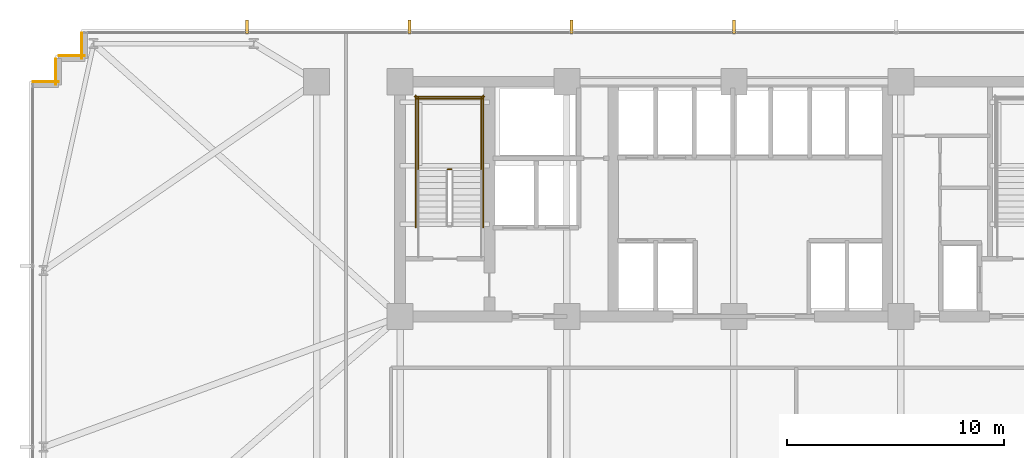
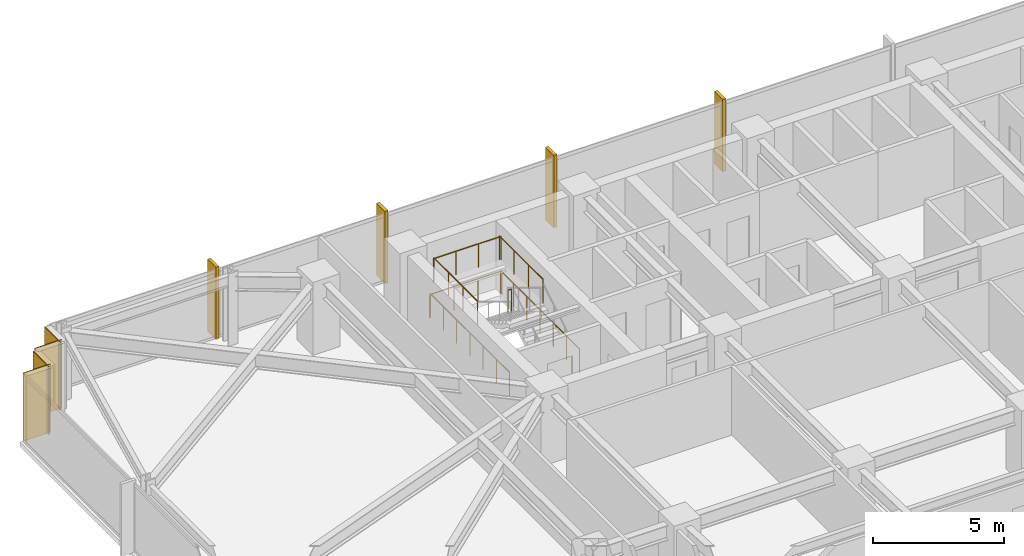
# One storey, part 30 of 32: 7 railings, 4 coverings, 4 shading devices.
"""IFC4 building model written with IfcOpenShell, lengths in metres."""

from ifc_helpers import new_model, si_unit, direction, frame, frame_2d, origin, origin_2d, place, context, subcontext, project, spatial, rectangle, circle, extrude, material, layer, layer_set, type_object, element, save


model = new_model("IFC4")

# Units and contexts
model_context = context("Model", 3, precision=1e-05, world=origin(), true_north=direction((0.0, 1.0)))
body_context = subcontext(model_context, "Body", "Model", "MODEL_VIEW")
ifc_project = project(units=[si_unit("LENGTHUNIT", "METRE"), si_unit("AREAUNIT", "SQUARE_METRE"), si_unit("VOLUMEUNIT", "CUBIC_METRE"), si_unit("PLANEANGLEUNIT", "RADIAN"), si_unit("MASSUNIT", "GRAM", prefix="KILO")], contexts=[model_context])

# Site, building, storey
site_placement = place(None, origin())
site = spatial("IfcSite", under=ifc_project, at=site_placement, CompositionType="ELEMENT")
building_placement = place(site_placement, origin())
building = spatial("IfcBuilding", under=site, at=building_placement, Name="Yelkora Congress Tower", CompositionType="ELEMENT")
storey_placement = place(building_placement, frame((0.0, 0.0, 33.800048828125)))
storey = spatial("IfcBuildingStorey", under=building, at=storey_placement, Name="L07", CompositionType="ELEMENT", Elevation=33.800048828125)

# Coverings
ifc_material_1 = material(Name="Anatolian bush-hammered limestone", Category="masonry")
ifc_layer_1 = layer(ifc_material_1, 0.0400390625)
ifc_layer_set_1 = layer_set([ifc_layer_1], Name="Anatolian bush-hammered limestone")
covering_type = type_object("IfcCoveringType", Name="COV-CLAD-SPANDREL-40", PredefinedType="CLADDING", material=ifc_layer_set_1)
covering_placement = place(storey_placement, frame((6.139892578125, 46.195068359375, 0.0), z_axis=(0.0, 0.0, 1.0), x_axis=(1.0, 0.0, 0.0)))
element("IfcCovering", 1, at=covering_placement, inside=storey, type_object=covering_type, Name="L07 Anatolian Limestone Cladding EW-L07-SR06", PredefinedType="CLADDING", context=body_context, shape_type="SweptSolid", body=[
    extrude(rectangle(XDim=1.2001953125, YDim=0.0400390625, at=frame_2d((0.60009765625, 0.0))), origin(), (0.0, 0.0, 1.0), 3.179931640625),
])
for number, where, z_axis, x_axis, name in (
    (2, (7.205078125, 46.06005859375, 0.0), (0.0, 0.0, 1.0), (0.0, 1.0, 0.0), "L07 Anatolian Limestone Cladding EW-L07-SR07"),
    (3, (7.340087890625, 47.39501953125, 0.0), (0.0, 0.0, 1.0), (1.0, 0.0, 0.0), "L07 Anatolian Limestone Cladding EW-L07-SR08"),
    (4, (8.405029296875, 47.260009765625, 0.0), (0.0, 0.0, 1.0), (0.0, 1.0, 0.0), "L07 Anatolian Limestone Cladding EW-L07-SR09"),
):
    element("IfcCovering", number, at=place(storey_placement, frame(where, z_axis=z_axis, x_axis=x_axis)), inside=storey, type_object=covering_type, Name=name, PredefinedType="CLADDING", context=body_context, shape_type="SweptSolid", body=[
        extrude(rectangle(XDim=1.199951171875, YDim=0.0400390625, at=frame_2d((0.60009765625, 0.0))), origin(), (0.0, 0.0, 1.0), 3.179931640625),
    ])

# Railings
ifc_material_2 = material(Name="Painted galvanised steel stair well guard with vertical infill", Category="steel")
ifc_layer_2 = layer(ifc_material_2, 0.06005859375)
ifc_layer_set_2 = layer_set([ifc_layer_2], Name="Painted galvanised steel stair well guard with vertical infill")
railing_type = type_object("IfcRailingType", Name="RAIL-STAIR-GUARD-1120", PredefinedType="GUARDRAIL", material=ifc_layer_set_2)
railing_1_placement = place(storey_placement, frame((25.39990234375, 42.169921875, 1.699951171875)))
element("IfcRailing", 5, at=railing_1_placement, inside=storey, type_object=railing_type, Name="ST-01 L07 Stair Well Guardrail 2", PredefinedType="GUARDRAIL", context=body_context, shape_type="SweptSolid", body=[
    extrude(circle(Radius=0.02392578125, at=origin_2d()), frame((0.0, 0.0, 1.09619140625), z_axis=(-1.0, 0.0, 0.0), x_axis=(0.0, -1.0, 0.0)), (0.0, 0.0, 1.0), 0.159912109375),
    extrude(circle(Radius=0.02099609375, at=origin_2d()), origin(), (0.0, 0.0, 1.0), 1.072021484375),
    extrude(circle(Radius=0.02099609375, at=origin_2d()), frame((-0.159912109375, 0.0, 0.0)), (0.0, 0.0, 1.0), 1.072021484375),
])
for number, where, name in (
    (6, (26.77001953125, 42.1201171875, 1.699951171875), "ST-01 L07 Stair Well Guardrail 3"),
    (7, (23.8701171875, 42.1201171875, 1.699951171875), "ST-01 L07 Stair Well Guardrail 4"),
):
    element("IfcRailing", number, at=place(storey_placement, frame(where)), inside=storey, type_object=railing_type, Name=name, PredefinedType="GUARDRAIL", context=body_context, shape_type="SweptSolid", body=[
        extrude(circle(Radius=0.02392578125, at=origin_2d()), frame((0.0, 0.0, 1.09619140625), z_axis=(0.0, 1.0, 0.0), x_axis=(-1.0, 0.0, 0.0)), (0.0, 0.0, 1.0), 3.349853515625),
        extrude(circle(Radius=0.02099609375, at=origin_2d()), origin(), (0.0, 0.0, 1.0), 1.072021484375),
        extrude(circle(Radius=0.02099609375, at=origin_2d()), frame((0.0, 1.11669921875, 0.0)), (0.0, 0.0, 1.0), 1.072021484375),
        extrude(circle(Radius=0.02099609375, at=origin_2d()), frame((0.0, 2.233154296875, 0.0)), (0.0, 0.0, 1.0), 1.072021484375),
        extrude(circle(Radius=0.02099609375, at=origin_2d()), frame((0.0, 3.349853515625, 0.0)), (0.0, 0.0, 1.0), 1.072021484375),
    ])
railing_2_placement = place(storey_placement, frame((26.820068359375, 45.419921875, 1.699951171875)))
element("IfcRailing", 8, at=railing_2_placement, inside=storey, type_object=railing_type, Name="ST-01 L07 Stair Well Guardrail 5", PredefinedType="GUARDRAIL", context=body_context, shape_type="SweptSolid", body=[
    extrude(circle(Radius=0.02392578125, at=origin_2d()), frame((0.0, 0.0, 1.09619140625), z_axis=(-1.0, 0.0, 0.0), x_axis=(0.0, -1.0, 0.0)), (0.0, 0.0, 1.0), 3.0),
    extrude(circle(Radius=0.02099609375, at=origin_2d()), origin(), (0.0, 0.0, 1.0), 1.072021484375),
    extrude(circle(Radius=0.02099609375, at=origin_2d()), frame((-1.0, 0.0, 0.0)), (0.0, 0.0, 1.0), 1.072021484375),
    extrude(circle(Radius=0.02099609375, at=origin_2d()), frame((-2.0, 0.0, 0.0)), (0.0, 0.0, 1.0), 1.072021484375),
    extrude(circle(Radius=0.02099609375, at=origin_2d()), frame((-3.0, 0.0, 0.0)), (0.0, 0.0, 1.0), 1.072021484375),
])
for number, where, name in (
    (9, (26.8701171875, 39.5, 0.0), "ST-01 L07 Stair Well Guardrail 10"),
    (10, (23.77001953125, 39.5, 0.0), "ST-01 L07 Stair Well Guardrail 11"),
):
    element("IfcRailing", number, at=place(storey_placement, frame(where)), inside=storey, type_object=railing_type, Name=name, PredefinedType="GUARDRAIL", context=body_context, shape_type="SweptSolid", body=[
        extrude(circle(Radius=0.02392578125, at=origin_2d()), frame((0.0, 0.0, 1.09619140625), z_axis=(0.0, 1.0, 0.0), x_axis=(-1.0, 0.0, 0.0)), (0.0, 0.0, 1.0), 6.070068359375),
        extrude(circle(Radius=0.02099609375, at=origin_2d()), origin(), (0.0, 0.0, 1.0), 1.072021484375),
        extrude(circle(Radius=0.02099609375, at=origin_2d()), frame((0.0, 1.01171875, 0.0)), (0.0, 0.0, 1.0), 1.072021484375),
        extrude(circle(Radius=0.02099609375, at=origin_2d()), frame((0.0, 2.0234375, 0.0)), (0.0, 0.0, 1.0), 1.072021484375),
        extrude(circle(Radius=0.02099609375, at=origin_2d()), frame((0.0, 3.03515625, 0.0)), (0.0, 0.0, 1.0), 1.072021484375),
        extrude(circle(Radius=0.02099609375, at=origin_2d()), frame((0.0, 4.046630859375, 0.0)), (0.0, 0.0, 1.0), 1.072021484375),
        extrude(circle(Radius=0.02099609375, at=origin_2d()), frame((0.0, 5.058349609375, 0.0)), (0.0, 0.0, 1.0), 1.072021484375),
        extrude(circle(Radius=0.02099609375, at=origin_2d()), frame((0.0, 6.070068359375, 0.0)), (0.0, 0.0, 1.0), 1.072021484375),
    ])
railing_3_placement = place(storey_placement, frame((26.919921875, 45.52001953125, 0.0)))
element("IfcRailing", 11, at=railing_3_placement, inside=storey, type_object=railing_type, Name="ST-01 L07 Stair Well Guardrail 12", PredefinedType="GUARDRAIL", context=body_context, shape_type="SweptSolid", body=[
    extrude(circle(Radius=0.02392578125, at=origin_2d()), frame((0.0, 0.0, 1.09619140625), z_axis=(-1.0, 0.0, 0.0), x_axis=(0.0, -1.0, 0.0)), (0.0, 0.0, 1.0), 3.199951171875),
    extrude(circle(Radius=0.02099609375, at=origin_2d()), origin(), (0.0, 0.0, 1.0), 1.072021484375),
    extrude(circle(Radius=0.02099609375, at=origin_2d()), frame((-1.066650390625, 0.0, 0.0)), (0.0, 0.0, 1.0), 1.072021484375),
    extrude(circle(Radius=0.02099609375, at=origin_2d()), frame((-2.13330078125, 0.0, 0.0)), (0.0, 0.0, 1.0), 1.072021484375),
    extrude(circle(Radius=0.02099609375, at=origin_2d()), frame((-3.199951171875, 0.0, 0.0)), (0.0, 0.0, 1.0), 1.072021484375),
])

# Shading devices
ifc_material_3 = material(Name="Champagne anodised aluminium", Category="aluminium")
ifc_layer_3 = layer(ifc_material_3, 3.39990234375)
ifc_layer_set_3 = layer_set([ifc_layer_3], Name="Champagne anodised aluminium")
shading_device_type = type_object("IfcShadingDeviceType", Name="SHD-FIN-ALU-640", PredefinedType="USERDEFINED", material=ifc_layer_set_3)
for number, where, z_axis, x_axis, name in (
    (12, (16.0048828125, 48.719970703125, -0.030029296875), (0.0, 0.0, 1.0), (1.0, 0.0, 0.0), "L07 Vertical Anodised Solar Fin 10-1"),
    (13, (23.469970703125, 48.719970703125, -0.030029296875), (0.0, 0.0, 1.0), (1.0, 0.0, 0.0), "L07 Vertical Anodised Solar Fin 10-2"),
    (14, (30.93505859375, 48.719970703125, -0.030029296875), (0.0, 0.0, 1.0), (1.0, 0.0, 0.0), "L07 Vertical Anodised Solar Fin 10-3"),
    (15, (38.39990234375, 48.719970703125, -0.030029296875), (0.0, 0.0, 1.0), (1.0, 0.0, 0.0), "L07 Vertical Anodised Solar Fin 10-4"),
):
    element("IfcShadingDevice", number, at=place(storey_placement, frame(where, z_axis=z_axis, x_axis=x_axis)), inside=storey, type_object=shading_device_type, Name=name, ObjectType="FIN", PredefinedType="USERDEFINED", context=body_context, shape_type="SweptSolid", body=[
        extrude(rectangle(XDim=0.139892578125, YDim=0.639892578125, at=origin_2d()), origin(), (0.0, 0.0, 1.0), 3.3798828125),
    ])

save(model, "model.ifc")
